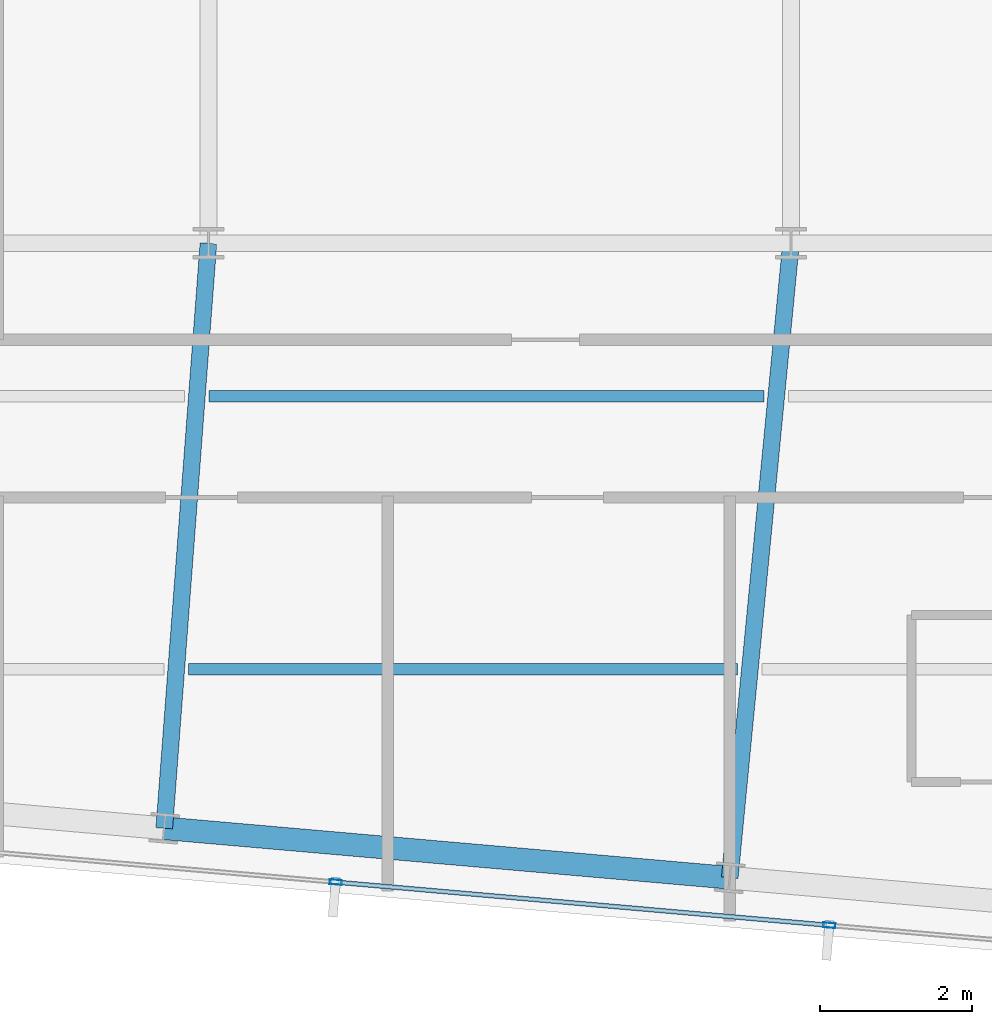
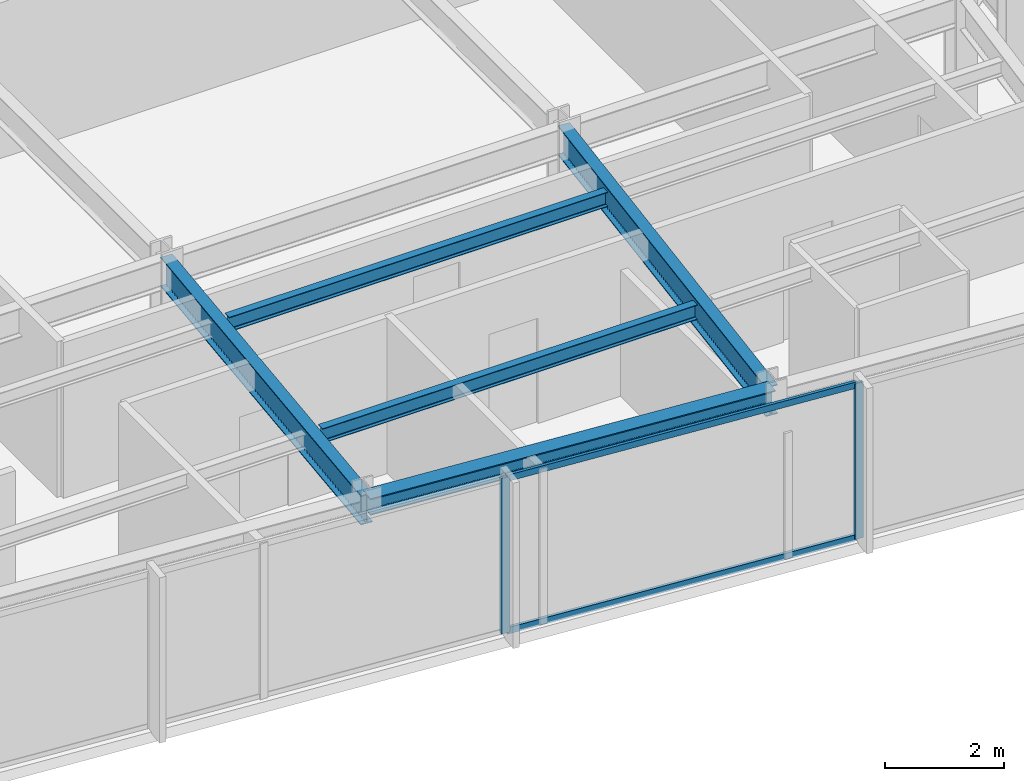
# One storey, part 13 of 32: 5 beams, 4 members, 1 element without a shape of its own.
"""IFC4 building model written with IfcOpenShell, lengths in metres."""

from ifc_helpers import new_model, si_unit, direction, frame, origin, origin_2d, place, context, subcontext, project, spatial, hollow_rectangle, i_section, extrude, material, material_profile, profile_set, type_object, element, aggregate, save


model = new_model("IFC4")

# Units and contexts
model_context = context("Model", 3, precision=1e-05, world=origin(), true_north=direction((0.0, 1.0)))
body_context = subcontext(model_context, "Body", "Model", "MODEL_VIEW")
ifc_project = project(units=[si_unit("LENGTHUNIT", "METRE"), si_unit("AREAUNIT", "SQUARE_METRE"), si_unit("VOLUMEUNIT", "CUBIC_METRE"), si_unit("PLANEANGLEUNIT", "RADIAN"), si_unit("MASSUNIT", "GRAM", prefix="KILO")], contexts=[model_context])

# Site, building, storey
site_placement = place(None, origin())
site = spatial("IfcSite", under=ifc_project, at=site_placement, CompositionType="ELEMENT")
building_placement = place(site_placement, origin())
building = spatial("IfcBuilding", under=site, at=building_placement, Name="Yelkora Congress Tower", CompositionType="ELEMENT")
storey_placement = place(building_placement, frame((0.0, 0.0, 276.10009765625)))
storey = spatial("IfcBuildingStorey", under=building, at=storey_placement, Name="L77", CompositionType="ELEMENT", Elevation=276.10009765625)

# Beams
ifc_material_1 = material(Name="Steel S355J2", Category="steel")
ifc_material_profile_1 = material_profile(ifc_material_1, i_section(OverallWidth=0.219970703125, OverallDepth=0.60009765625, WebThickness=0.011962890625, FlangeThickness=0.01904296875, FilletRadius=0.02392578125, at=origin_2d()), Name="IPE 600")
ifc_profile_set_1 = profile_set([ifc_material_profile_1], Name="Steel S355J2")
beam_type_1 = type_object("IfcBeamType", Name="BM-GIRD-IPE600", PredefinedType="BEAM", material=ifc_profile_set_1)
beam_1_placement = place(storey_placement, frame((37.8173828125, 17.489013671875, 2.8798828125), z_axis=(0.075329932006, 0.997158664077, 0.0), x_axis=(-0.997158664077, 0.075329932006, 0.0)))
element("IfcBeam", 1, at=beam_1_placement, inside=storey, type_object=beam_type_1, Name="L77 Primary Frame Girder S05", PredefinedType="BEAM", context=body_context, shape_type="SweptSolid", body=[
    extrude(i_section(OverallWidth=0.219970703125, OverallDepth=0.60009765625, WebThickness=0.011962890625, FlangeThickness=0.01904296875, FilletRadius=0.02392578125, at=origin_2d()), origin(), (0.0, 0.0, 1.0), 7.73291015625),
])
beam_2_placement = place(storey_placement, frame((45.2724609375, 16.836669921875, 2.8798828125), z_axis=(0.096119896563, 0.995369763196, 0.0), x_axis=(-0.995369763196, 0.096119896563, 0.0)))
element("IfcBeam", 2, at=beam_2_placement, inside=storey, type_object=beam_type_1, Name="L77 Primary Frame Girder S06", PredefinedType="BEAM", context=body_context, shape_type="SweptSolid", body=[
    extrude(i_section(OverallWidth=0.219970703125, OverallDepth=0.60009765625, WebThickness=0.011962890625, FlangeThickness=0.01904296875, FilletRadius=0.02392578125, at=origin_2d()), origin(), (0.0, 0.0, 1.0), 8.402099609375),
])
ifc_material_profile_2 = material_profile(ifc_material_1, i_section(OverallWidth=0.14990234375, OverallDepth=0.300048828125, WebThickness=0.007080078125, FlangeThickness=0.0107421875, FilletRadius=0.014892578125, at=origin_2d()), Name="IPE 300")
ifc_profile_set_2 = profile_set([ifc_material_profile_2], Name="Steel S355J2")
beam_type_2 = type_object("IfcBeamType", Name="BM-JOIST-IPE300", PredefinedType="JOIST", material=ifc_profile_set_2)
beam_3_placement = place(storey_placement, frame((38.1357421875, 19.58447265625, 3.02978515625), z_axis=(1.0, 0.0, 0.0), x_axis=(0.0, 1.0, 0.0)))
element("IfcBeam", 3, at=beam_3_placement, inside=storey, type_object=beam_type_2, Name="L77 Composite Floor Joist 3", PredefinedType="JOIST", context=body_context, shape_type="SweptSolid", body=[
    extrude(i_section(OverallWidth=0.14990234375, OverallDepth=0.300048828125, WebThickness=0.007080078125, FlangeThickness=0.0107421875, FilletRadius=0.014892578125, at=origin_2d()), origin(), (0.0, 0.0, 1.0), 7.241943359375),
])
beam_4_placement = place(storey_placement, frame((38.40771484375, 23.1845703125, 3.02978515625), z_axis=(1.0, 0.0, 0.0), x_axis=(0.0, 1.0, 0.0)))
element("IfcBeam", 4, at=beam_4_placement, inside=storey, type_object=beam_type_2, Name="L77 Composite Floor Joist 7", PredefinedType="JOIST", context=body_context, shape_type="SweptSolid", body=[
    extrude(i_section(OverallWidth=0.14990234375, OverallDepth=0.300048828125, WebThickness=0.007080078125, FlangeThickness=0.0107421875, FilletRadius=0.014892578125, at=origin_2d()), origin(), (0.0, 0.0, 1.0), 7.317626953125),
])
ifc_material_profile_3 = material_profile(ifc_material_1, i_section(OverallWidth=0.300048828125, OverallDepth=0.340087890625, WebThickness=0.011962890625, FlangeThickness=0.021484375, FilletRadius=0.027099609375, at=origin_2d()), Name="HEB 340")
ifc_profile_set_3 = profile_set([ifc_material_profile_3], Name="Steel S355J2")
beam_type_3 = type_object("IfcBeamType", Name="BM-SPAN-HEB340", PredefinedType="SPANDREL", material=ifc_profile_set_3)
beam_5_placement = place(storey_placement, frame((37.8173828125, 17.489013671875, 3.010009765625), z_axis=(0.996193434204, -0.08717018785, 0.0), x_axis=(0.08717018785, 0.996193434204, 0.0)))
element("IfcBeam", 5, at=beam_5_placement, inside=storey, type_object=beam_type_3, Name="L77 Perimeter Beam 5", PredefinedType="SPANDREL", context=body_context, shape_type="SweptSolid", body=[
    extrude(i_section(OverallWidth=0.300048828125, OverallDepth=0.340087890625, WebThickness=0.011962890625, FlangeThickness=0.021484375, FilletRadius=0.027099609375, at=origin_2d()), origin(), (0.0, 0.0, 1.0), 7.483642578125),
])

# Curtain wall, members
ifc_material_2 = material(Name="Anodised aluminium and insulated glass", Category="aluminium")
curtain_wall_type = type_object("IfcCurtainWallType", Name="CW-SYS-B5", PredefinedType="NOTDEFINED", material=ifc_material_2)
curtain_wall_placement = place(storey_placement, origin())
curtain_wall = element("IfcCurtainWall", 6, at=curtain_wall_placement, inside=storey, type_object=curtain_wall_type, Name="L77 Unitised Curtain Wall 20", PredefinedType="NOTDEFINED")
ifc_material_3 = material(Name="Anodised aluminium 6063-T6", Category="aluminium")
ifc_material_profile_4 = material_profile(ifc_material_3, hollow_rectangle(XDim=0.06494140625, YDim=0.159912109375, WallThickness=0.00390625, at=origin_2d()), Name="ALU 65x160x4")
ifc_profile_set_4 = profile_set([ifc_material_profile_4], Name="Anodised aluminium 6063-T6")
member_type_1 = type_object("IfcMemberType", Name="MEM-ML-B5", PredefinedType="MULLION", material=ifc_profile_set_4)
member_1_placement = place(storey_placement, frame((46.58447265625, 16.2099609375, 0.0), z_axis=(0.0, 0.0, 1.0), x_axis=(-0.087156829793, -0.996194602987, 0.0)))
member_1 = element("IfcMember", 7, at=member_1_placement, type_object=member_type_1, Name="CW-B5 mullion 2", PredefinedType="MULLION", context=body_context, shape_type="SweptSolid", body=[
    extrude(hollow_rectangle(XDim=0.06494140625, YDim=0.159912109375, WallThickness=0.00390625, at=origin_2d()), origin(), (0.0, 0.0, 1.0), 3.179931640625),
])
member_2_placement = place(storey_placement, frame((40.077880859375, 16.779296875, 0.0), z_axis=(0.0, 0.0, 1.0), x_axis=(-0.087156829793, -0.996194602987, 0.0)))
member_2 = element("IfcMember", 8, at=member_2_placement, type_object=member_type_1, Name="CW-B5 mullion 3", PredefinedType="MULLION", context=body_context, shape_type="SweptSolid", body=[
    extrude(hollow_rectangle(XDim=0.06494140625, YDim=0.159912109375, WallThickness=0.00390625, at=origin_2d()), origin(), (0.0, 0.0, 1.0), 3.179931640625),
])
ifc_material_profile_5 = material_profile(ifc_material_3, hollow_rectangle(XDim=0.06005859375, YDim=0.1298828125, WallThickness=0.00390625, at=origin_2d()), Name="ALU 60x130x4")
ifc_profile_set_5 = profile_set([ifc_material_profile_5], Name="Anodised aluminium 6063-T6")
member_type_2 = type_object("IfcMemberType", Name="MEM-TR-B5", PredefinedType="USERDEFINED", material=ifc_profile_set_5)
member_3_placement = place(storey_placement, frame((46.55224609375, 16.212890625, 0.02978515625), z_axis=(-0.996196257862, 0.087137912649, 0.0), x_axis=(-0.087137912649, -0.996196257862, 0.0)))
member_3 = element("IfcMember", 9, at=member_3_placement, type_object=member_type_2, Name="CW-B5 transom 2.1", ObjectType="TRANSOM", PredefinedType="USERDEFINED", context=body_context, shape_type="SweptSolid", body=[
    extrude(hollow_rectangle(XDim=0.06005859375, YDim=0.1298828125, WallThickness=0.00390625, at=origin_2d()), origin(), (0.0, 0.0, 1.0), 6.466552734375),
])
member_4_placement = place(storey_placement, frame((46.55224609375, 16.212890625, 3.14990234375), z_axis=(-0.996196257862, 0.087137912649, 0.0), x_axis=(-0.087137912649, -0.996196257862, 0.0)))
member_4 = element("IfcMember", 10, at=member_4_placement, type_object=member_type_2, Name="CW-B5 transom 2.2", ObjectType="TRANSOM", PredefinedType="USERDEFINED", context=body_context, shape_type="SweptSolid", body=[
    extrude(hollow_rectangle(XDim=0.06005859375, YDim=0.1298828125, WallThickness=0.00390625, at=origin_2d()), origin(), (0.0, 0.0, 1.0), 6.466552734375),
])
aggregate(curtain_wall, [member_1, member_2, member_3, member_4])

save(model, "model.ifc")
